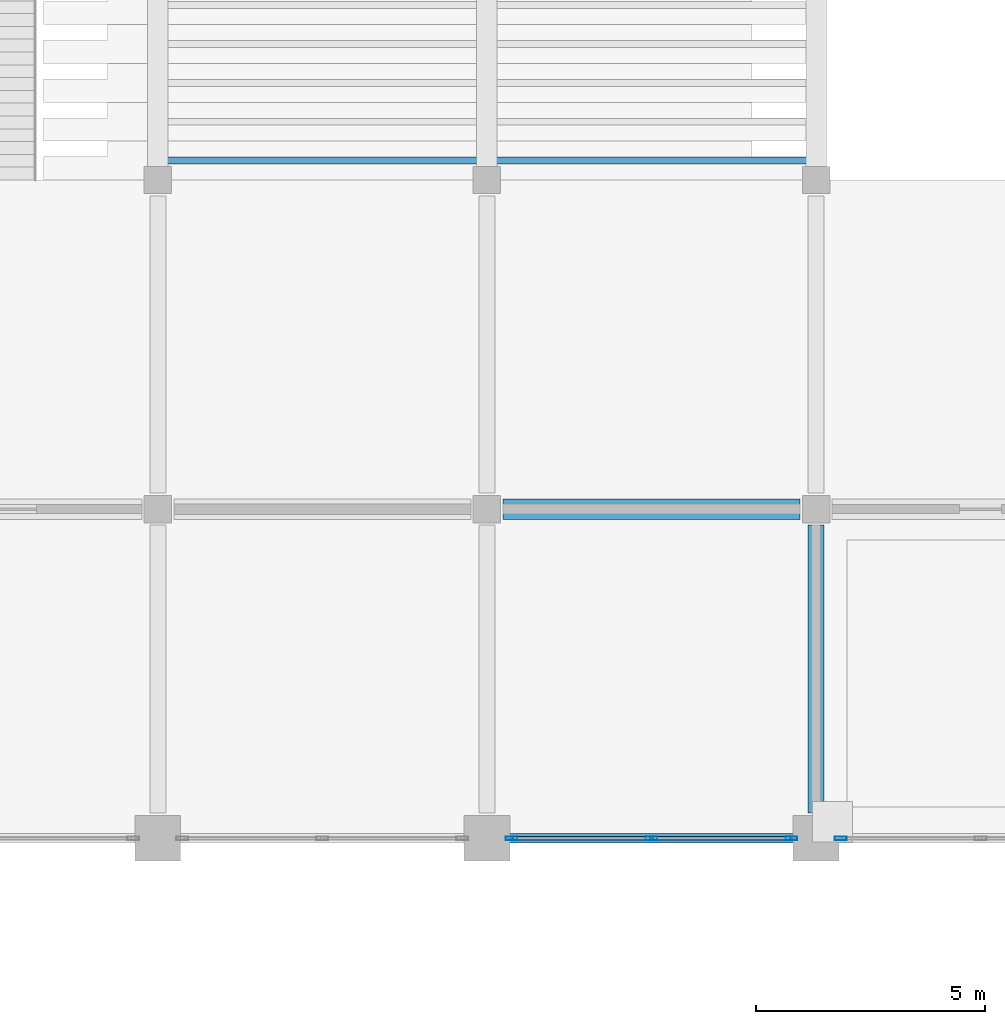
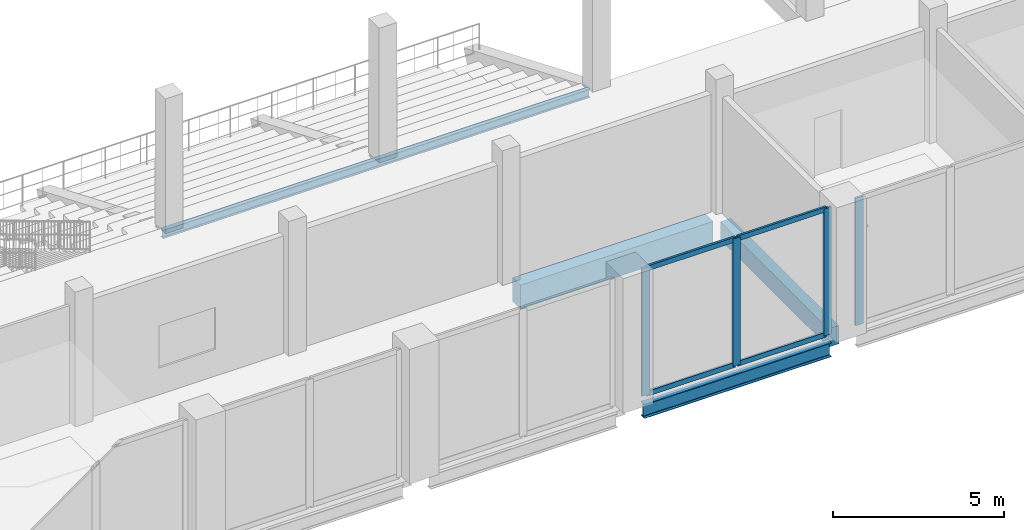
# One storey, part 14 of 99: 8 members, 4 beams, 2 elements without a shape of their own.
"""IFC4 building model written with IfcOpenShell, lengths in metres."""

from ifc_helpers import new_model, si_unit, direction, frame, origin, origin_2d, place, context, subcontext, project, spatial, rectangle, hollow_rectangle, i_section, extrude, material, material_profile, profile_set, type_object, element, aggregate, save


model = new_model("IFC4")

# Units and contexts
model_context = context("Model", 3, precision=1e-05, world=origin(), true_north=direction((0.0, 1.0)))
body_context = subcontext(model_context, "Body", "Model", "MODEL_VIEW")
ifc_project = project(units=[si_unit("LENGTHUNIT", "METRE"), si_unit("AREAUNIT", "SQUARE_METRE"), si_unit("VOLUMEUNIT", "CUBIC_METRE"), si_unit("PLANEANGLEUNIT", "RADIAN"), si_unit("MASSUNIT", "GRAM", prefix="KILO")], contexts=[model_context])

# Site, building, storey
site_placement = place(None, origin())
site = spatial("IfcSite", under=ifc_project, at=site_placement, CompositionType="ELEMENT")
building_placement = place(site_placement, origin())
building = spatial("IfcBuilding", under=site, at=building_placement, Name="Vesperath Aquatics Centre", CompositionType="ELEMENT")
storey_placement = place(building_placement, frame((0.0, 0.0, 5.39990234375)))
storey = spatial("IfcBuildingStorey", under=building, at=storey_placement, Name="L01", CompositionType="ELEMENT", Elevation=5.39990234375)

# Beams
ifc_material_1 = material(Name="Concrete C35", Category="concrete")
ifc_material_profile_1 = material_profile(ifc_material_1, rectangle(XDim=0.449951171875, YDim=0.85009765625, at=origin_2d()), Name="RC 450x850")
ifc_profile_set_1 = profile_set([ifc_material_profile_1], Name="Concrete C35")
beam_type_1 = type_object("IfcBeamType", Name="BM-G03", PredefinedType="BEAM", material=ifc_profile_set_1)
beam_1_placement = place(storey_placement, frame((79.550048828125, 21.60009765625, -0.684814453125), z_axis=(1.0, 0.0, 0.0), x_axis=(0.0, 1.0, 0.0)))
element("IfcBeam", 1, at=beam_1_placement, inside=storey, type_object=beam_type_1, Name="Floor Girder B03 L01 D 12-13", PredefinedType="BEAM", context=body_context, shape_type="SweptSolid", body=[
    extrude(rectangle(XDim=0.449951171875, YDim=0.85009765625, at=origin_2d()), origin(), (0.0, 0.0, 1.0), 6.5),
])
ifc_material_profile_2 = material_profile(ifc_material_1, rectangle(XDim=0.35009765625, YDim=0.64990234375, at=origin_2d()), Name="RC 350x650")
ifc_profile_set_2 = profile_set([ifc_material_profile_2], Name="Concrete C35")
beam_type_2 = type_object("IfcBeamType", Name="BM-G05", PredefinedType="BEAM", material=ifc_profile_set_2)
beam_2_placement = place(storey_placement, frame((86.39990234375, 14.949951171875, -0.5849609375), z_axis=(0.0, 1.0, 0.0), x_axis=(-1.0, 0.0, 0.0)))
element("IfcBeam", 2, at=beam_2_placement, inside=storey, type_object=beam_type_2, Name="Floor Girder B05 L01 13 C-D", PredefinedType="BEAM", context=body_context, shape_type="SweptSolid", body=[
    extrude(rectangle(XDim=0.35009765625, YDim=0.64990234375, at=origin_2d()), origin(), (0.0, 0.0, 1.0), 6.300048828125),
])
ifc_material_2 = material(Name="Steel Q355C", Category="steel")
ifc_material_profile_3 = material_profile(ifc_material_2, i_section(OverallWidth=0.14990234375, OverallDepth=0.300048828125, WebThickness=0.006591796875, FlangeThickness=0.009033203125, FilletRadius=0.012939453125, at=origin_2d()), Name="HN 300x150x6.5x9")
ifc_profile_set_3 = profile_set([ifc_material_profile_3], Name="Steel Q355C")
beam_type_3 = type_object("IfcBeamType", Name="BM-J06", PredefinedType="JOIST", material=ifc_profile_set_3)
beam_3_placement = place(storey_placement, frame((72.0, 29.22509765625, -0.52978515625), z_axis=(1.0, 0.0, 0.0), x_axis=(0.0, 1.0, 0.0)))
element("IfcBeam", 3, at=beam_3_placement, inside=storey, type_object=beam_type_3, Name="Lower Tier Bearer Beam J06 S-R1-B4M", PredefinedType="JOIST", context=body_context, shape_type="SweptSolid", body=[
    extrude(i_section(OverallWidth=0.14990234375, OverallDepth=0.300048828125, WebThickness=0.006591796875, FlangeThickness=0.009033203125, FilletRadius=0.012939453125, at=origin_2d()), origin(), (0.0, 0.0, 1.0), 14.39990234375),
])
ifc_material_3 = material(Name="Steel Q355D", Category="steel")
ifc_material_profile_4 = material_profile(ifc_material_3, i_section(OverallWidth=0.199951171875, OverallDepth=0.5, WebThickness=0.010009765625, FlangeThickness=0.01611328125, FilletRadius=0.02001953125, at=origin_2d()), Name="HN 500x200x10x16")
ifc_profile_set_4 = profile_set([ifc_material_profile_4], Name="Steel Q355D")
beam_type_4 = type_object("IfcBeamType", Name="BM-SP01", PredefinedType="SPANDREL", material=ifc_profile_set_4)
beam_4_placement = place(storey_placement, frame((79.64990234375, 14.39990234375, -0.510009765625), z_axis=(1.0, 0.0, 0.0), x_axis=(0.0, 1.0, 0.0)))
element("IfcBeam", 4, at=beam_4_placement, inside=storey, type_object=beam_type_4, Name="Floor Girder SP01 L01 C 12-13", PredefinedType="SPANDREL", context=body_context, shape_type="SweptSolid", body=[
    extrude(i_section(OverallWidth=0.199951171875, OverallDepth=0.5, WebThickness=0.010009765625, FlangeThickness=0.01611328125, FilletRadius=0.02001953125, at=origin_2d()), origin(), (0.0, 0.0, 1.0), 6.300048828125),
])

# Curtain wall, members
ifc_material_4 = material(Name="Thermally broken anodised bronze aluminium curtain wall", Category="aluminium")
curtain_wall_type = type_object("IfcCurtainWallType", Name="CW-02", PredefinedType="NOTDEFINED", material=ifc_material_4)
curtain_wall_1_placement = place(storey_placement, origin())
curtain_wall_1 = element("IfcCurtainWall", 5, at=curtain_wall_1_placement, inside=storey, type_object=curtain_wall_type, Name="Facade Curtain Wall CW02 L01_S_11_02", PredefinedType="NOTDEFINED")
ifc_material_5 = material(Name="Thermally broken anodised aluminium", Category="aluminium")
ifc_material_profile_5 = material_profile(ifc_material_5, hollow_rectangle(XDim=0.074951171875, YDim=0.260009765625, WallThickness=0.006103515625, at=origin_2d()), Name="CWM 75x260x6")
ifc_profile_set_5 = profile_set([ifc_material_profile_5], Name="Thermally broken anodised aluminium")
member_type_1 = type_object("IfcMemberType", Name="MB-CWM1", PredefinedType="MULLION", material=ifc_profile_set_5)
member_1_placement = place(storey_placement, frame((79.737548828125, 14.39990234375, 0.0), z_axis=(0.0, 0.0, 1.0), x_axis=(0.0, 1.0, 0.0)))
member_1 = element("IfcMember", 6, at=member_1_placement, type_object=member_type_1, Name="CW02 mullion 1", PredefinedType="MULLION", context=body_context, shape_type="SweptSolid", body=[
    extrude(hollow_rectangle(XDim=0.074951171875, YDim=0.260009765625, WallThickness=0.006103515625, at=origin_2d()), origin(), (0.0, 0.0, 1.0), 4.5400390625),
])
member_2_placement = place(storey_placement, frame((82.800048828125, 14.39990234375, 0.0), z_axis=(0.0, 0.0, 1.0), x_axis=(0.0, 1.0, 0.0)))
member_2 = element("IfcMember", 7, at=member_2_placement, type_object=member_type_1, Name="CW02 mullion 2", PredefinedType="MULLION", context=body_context, shape_type="SweptSolid", body=[
    extrude(hollow_rectangle(XDim=0.074951171875, YDim=0.260009765625, WallThickness=0.006103515625, at=origin_2d()), origin(), (0.0, 0.0, 1.0), 4.5400390625),
])
member_3_placement = place(storey_placement, frame((85.862548828125, 14.39990234375, 0.0), z_axis=(0.0, 0.0, 1.0), x_axis=(0.0, 1.0, 0.0)))
member_3 = element("IfcMember", 8, at=member_3_placement, type_object=member_type_1, Name="CW02 mullion 3", PredefinedType="MULLION", context=body_context, shape_type="SweptSolid", body=[
    extrude(hollow_rectangle(XDim=0.074951171875, YDim=0.260009765625, WallThickness=0.006103515625, at=origin_2d()), origin(), (0.0, 0.0, 1.0), 4.5400390625),
])

# Curtain wall, member
curtain_wall_2_placement = place(storey_placement, origin())
curtain_wall_2 = element("IfcCurtainWall", 9, at=curtain_wall_2_placement, inside=storey, type_object=curtain_wall_type, Name="Facade Curtain Wall CW02 L01_S_12_02", PredefinedType="NOTDEFINED")
member_4_placement = place(storey_placement, frame((86.9375, 14.39990234375, 0.0), z_axis=(0.0, 0.0, 1.0), x_axis=(0.0, 1.0, 0.0)))
member_4 = element("IfcMember", 10, at=member_4_placement, type_object=member_type_1, Name="CW02 mullion 1", PredefinedType="MULLION", context=body_context, shape_type="SweptSolid", body=[
    extrude(hollow_rectangle(XDim=0.074951171875, YDim=0.260009765625, WallThickness=0.006103515625, at=origin_2d()), origin(), (0.0, 0.0, 1.0), 4.5400390625),
])
aggregate(curtain_wall_2, [member_4])

# Member
ifc_material_profile_6 = material_profile(ifc_material_5, hollow_rectangle(XDim=0.074951171875, YDim=0.179931640625, WallThickness=0.0048828125, at=origin_2d()), Name="CWT 75x180x5")
ifc_profile_set_6 = profile_set([ifc_material_profile_6], Name="Thermally broken anodised aluminium")
member_type_2 = type_object("IfcMemberType", Name="MB-CWT1", PredefinedType="USERDEFINED", material=ifc_profile_set_6)
member_5_placement = place(storey_placement, frame((79.77490234375, 14.39990234375, 0.03759765625), z_axis=(1.0, 0.0, 0.0), x_axis=(0.0, 1.0, 0.0)))
member_5 = element("IfcMember", 11, at=member_5_placement, type_object=member_type_2, Name="CW02 transom 1.1", ObjectType="TRANSOM", PredefinedType="USERDEFINED", context=body_context, shape_type="SweptSolid", body=[
    extrude(hollow_rectangle(XDim=0.074951171875, YDim=0.179931640625, WallThickness=0.0048828125, at=origin_2d()), origin(), (0.0, 0.0, 1.0), 2.987548828125),
])

member_6_placement = place(storey_placement, frame((79.77490234375, 14.39990234375, 4.502685546875), z_axis=(1.0, 0.0, 0.0), x_axis=(0.0, 1.0, 0.0)))
member_6 = element("IfcMember", 12, at=member_6_placement, type_object=member_type_2, Name="CW02 transom 1.2", ObjectType="TRANSOM", PredefinedType="USERDEFINED", context=body_context, shape_type="SweptSolid", body=[
    extrude(hollow_rectangle(XDim=0.074951171875, YDim=0.179931640625, WallThickness=0.0048828125, at=origin_2d()), origin(), (0.0, 0.0, 1.0), 2.987548828125),
])

member_7_placement = place(storey_placement, frame((82.83740234375, 14.39990234375, 0.03759765625), z_axis=(1.0, 0.0, 0.0), x_axis=(0.0, 1.0, 0.0)))
member_7 = element("IfcMember", 13, at=member_7_placement, type_object=member_type_2, Name="CW02 transom 2.1", ObjectType="TRANSOM", PredefinedType="USERDEFINED", context=body_context, shape_type="SweptSolid", body=[
    extrude(hollow_rectangle(XDim=0.074951171875, YDim=0.179931640625, WallThickness=0.0048828125, at=origin_2d()), origin(), (0.0, 0.0, 1.0), 2.987548828125),
])

member_8_placement = place(storey_placement, frame((82.83740234375, 14.39990234375, 4.502685546875), z_axis=(1.0, 0.0, 0.0), x_axis=(0.0, 1.0, 0.0)))
member_8 = element("IfcMember", 14, at=member_8_placement, type_object=member_type_2, Name="CW02 transom 2.2", ObjectType="TRANSOM", PredefinedType="USERDEFINED", context=body_context, shape_type="SweptSolid", body=[
    extrude(hollow_rectangle(XDim=0.074951171875, YDim=0.179931640625, WallThickness=0.0048828125, at=origin_2d()), origin(), (0.0, 0.0, 1.0), 2.987548828125),
])

aggregate(curtain_wall_1, [member_1, member_2, member_3, member_5, member_6, member_7, member_8])

save(model, "model.ifc")
